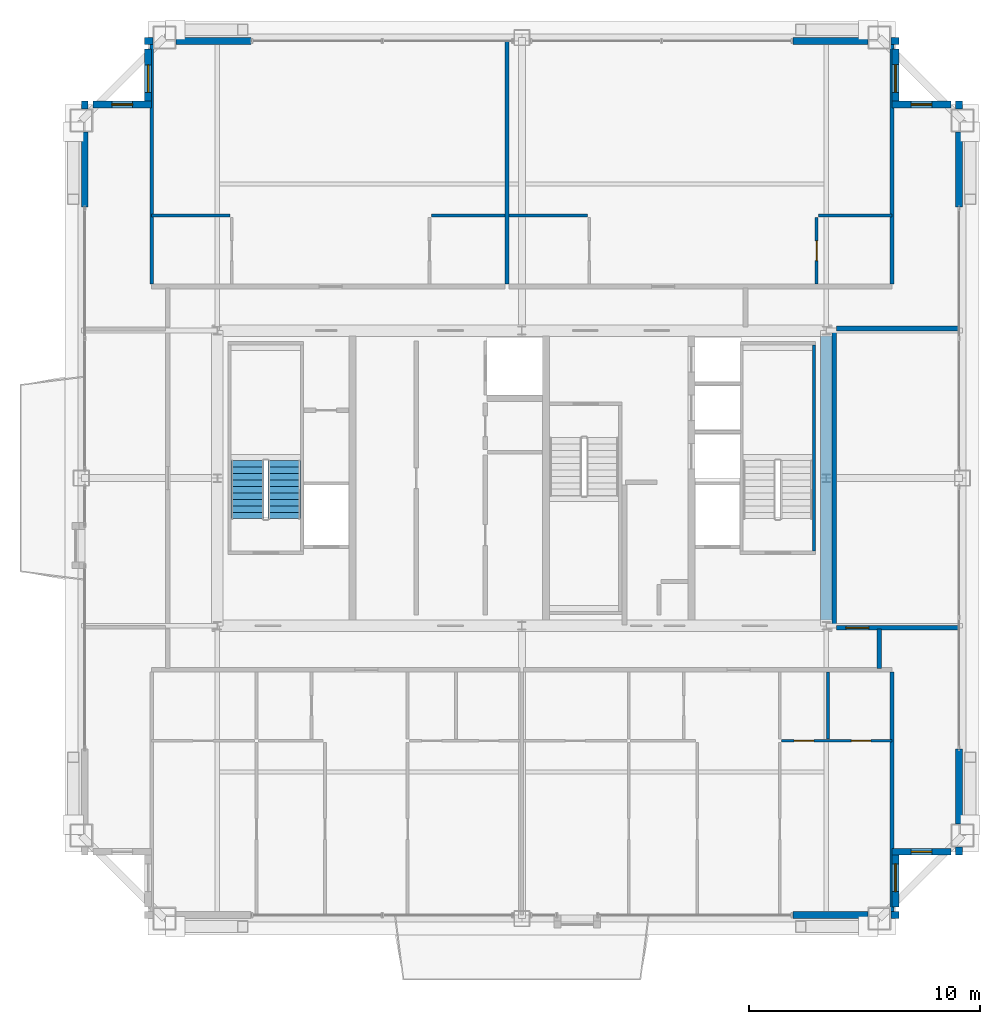
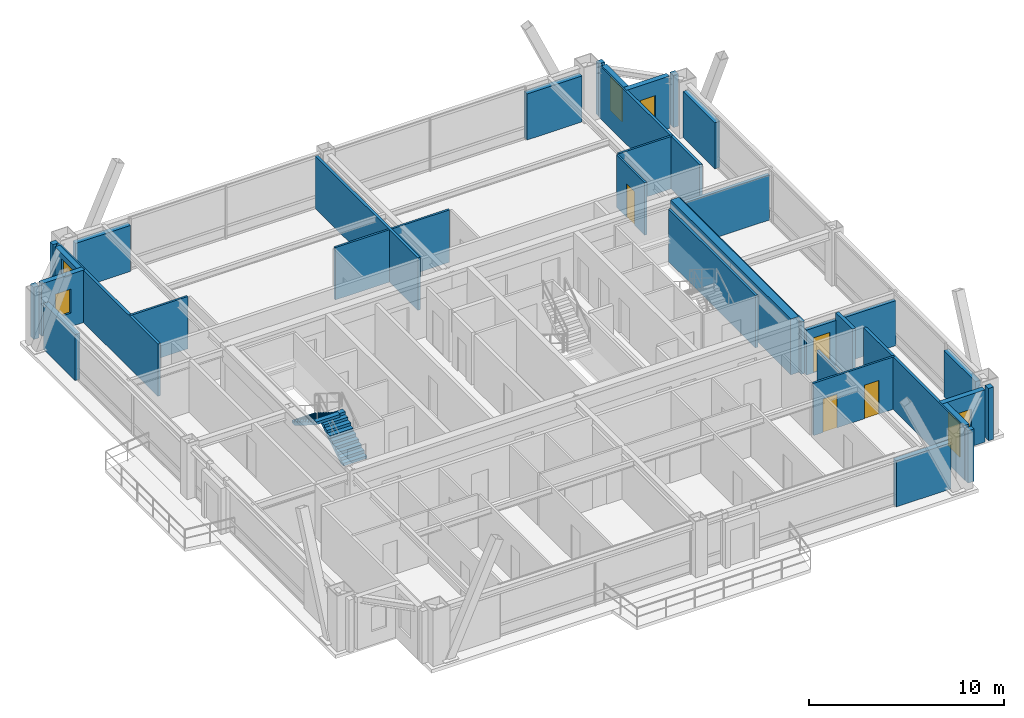
# One storey, part 31 of 33: 35 walls, 6 windows, 4 doors, 2 stair flights, 10 openings, 1 element without a shape of its own.
"""IFC4 building model written with IfcOpenShell, lengths in metres."""

from ifc_helpers import new_model, si_unit, direction, frame, frame_2d, origin, place, context, subcontext, project, spatial, polyline, rectangle, outline, extrude, source, transform, mapped, material, layer, layer_set, type_object, element, fill, aggregate, save


model = new_model("IFC4")

# Units and contexts
model_context = context("Model", 3, precision=1e-05, world=origin(), true_north=direction((0.0, 1.0)))
body_context = subcontext(model_context, "Body", "Model", "MODEL_VIEW")
ifc_project = project(units=[si_unit("LENGTHUNIT", "METRE"), si_unit("AREAUNIT", "SQUARE_METRE"), si_unit("VOLUMEUNIT", "CUBIC_METRE"), si_unit("PLANEANGLEUNIT", "RADIAN"), si_unit("MASSUNIT", "GRAM", prefix="KILO"), si_unit("THERMODYNAMICTEMPERATUREUNIT", "KELVIN"), si_unit("POWERUNIT", "WATT")], contexts=[model_context])

# Site, building, storey
site_placement = place(None, origin())
site = spatial("IfcSite", under=ifc_project, at=site_placement, CompositionType="ELEMENT")
building_placement = place(site_placement, origin())
building = spatial("IfcBuilding", under=site, at=building_placement, Name="Yuzanri Waterfront Tower", CompositionType="ELEMENT")
storey_placement = place(building_placement, frame((0.0, 0.0, 321.699951171875)))
storey = spatial("IfcBuildingStorey", under=building, at=storey_placement, Name="L86", CompositionType="ELEMENT", Elevation=321.699951171875)

# Wall, openings, doors
ifc_material_1 = material(Name="Moisture-Resistant Gypsum Stud Wall", Category="gypsum")
ifc_layer_1 = layer(ifc_material_1, 0.1201171875)
ifc_layer_set_1 = layer_set([ifc_layer_1], Name="Moisture-Resistant Gypsum Stud Wall")
wall_type_1 = type_object("IfcWallType", Name="Bathroom and Kitchen Wet Partition 120", PredefinedType="PARTITIONING", material=ifc_layer_set_1)
wall_1_placement = place(storey_placement, frame((48.26611328125, 14.409912109375, 0.0), z_axis=(0.0, 0.0, 1.0), x_axis=(1.0, 0.0, 0.0)))
wall_1 = element("IfcWall", 1, at=wall_1_placement, inside=storey, type_object=wall_type_1, Name="L86 Partition UW-L86-HS2-SUB-6-N", PredefinedType="PARTITIONING", context=body_context, shape_type="SweptSolid", body=[
    extrude(rectangle(XDim=4.7939453125, YDim=0.1201171875, at=frame_2d((2.39697265625, 0.0))), origin(), (0.0, 0.0, 1.0), 3.280029296875),
])
opening_1_placement = place(wall_1_placement, frame((3.01904296875, 0.0, 0.0)))
opening_1 = element("IfcOpeningElement", 2, at=opening_1_placement, cuts=wall_1, Name="Opening ID-0850", PredefinedType="OPENING", context=body_context, shape_type="SweptSolid", body=[
    extrude(rectangle(XDim=0.85009765625, YDim=2.10009765625, at=frame_2d((0.425048828125, 1.050048828125))), frame((0.0, 0.074951171875, 0.0), z_axis=(0.0, -1.0, 0.0), x_axis=(1.0, 0.0, 0.0)), (0.0, 0.0, 1.0), 0.14990234375),
])
opening_2_placement = place(wall_1_placement, frame((0.5419921875, 0.0, 0.0)))
opening_2 = element("IfcOpeningElement", 3, at=opening_2_placement, cuts=wall_1, Name="Opening ID-0850", PredefinedType="OPENING", context=body_context, shape_type="SweptSolid", body=[
    extrude(rectangle(XDim=0.85009765625, YDim=2.10009765625, at=frame_2d((0.425048828125, 1.050048828125))), frame((0.0, 0.074951171875, 0.0), z_axis=(0.0, -1.0, 0.0), x_axis=(1.0, 0.0, 0.0)), (0.0, 0.0, 1.0), 0.14990234375),
])
ifc_material_2 = material(Name="Moisture-Resistant Lacquered Timber", Category="wood")
door_type_1 = type_object("IfcDoorType", Name="En-Suite Bathroom and Kitchen Swing Door 850x2100", OperationType="NOTDEFINED", PredefinedType="DOOR", material=ifc_material_2)
shared_shape_1 = source(origin(), body_context, "Body", "SweptSolid", [
    extrude(rectangle(XDim=0.85009765625, YDim=2.10009765625, at=frame_2d((0.425048828125, 1.050048828125))), frame((0.0, 0.02490234375, 0.0), z_axis=(0.0, -1.0, 0.0), x_axis=(1.0, 0.0, 0.0)), (0.0, 0.0, 1.0), 0.050048828125),
])
door_1_placement = place(opening_1_placement, origin())
door_1 = element("IfcDoor", 4, at=door_1_placement, inside=storey, type_object=door_type_1, Name="L86 Suite Interior Room Door", OperationType="SINGLE_SWING_LEFT", OverallHeight=2.10009765625, OverallWidth=0.85009765625, PredefinedType="DOOR", context=body_context, shape_type="MappedRepresentation", body=[
    mapped(shared_shape_1, transform((0.0, 0.0, 0.0), scale=1.0)),
])
fill(opening_1, door_1)
door_2_placement = place(opening_2_placement, origin())
door_2 = element("IfcDoor", 5, at=door_2_placement, inside=storey, type_object=door_type_1, Name="L86 Suite Interior Room Door", OperationType="SINGLE_SWING_RIGHT", OverallHeight=2.10009765625, OverallWidth=0.85009765625, PredefinedType="DOOR", context=body_context, shape_type="MappedRepresentation", body=[
    mapped(shared_shape_1, transform((0.0, 0.0, 0.0), scale=1.0)),
])
fill(opening_2, door_2)

# Wall, opening, door
wall_2_placement = place(storey_placement, frame((49.780029296875, 34.2099609375, 0.0), z_axis=(0.0, 0.0, 1.0), x_axis=(0.0, 1.0, 0.0)))
wall_2 = element("IfcWall", 6, at=wall_2_placement, inside=storey, type_object=wall_type_1, Name="L86 Partition UW-L86-HN2-SUB-2-W", PredefinedType="PARTITIONING", context=body_context, shape_type="SweptSolid", body=[
    extrude(rectangle(XDim=2.900146484375, YDim=0.1201171875, at=frame_2d((1.4501953125, 0.0))), origin(), (0.0, 0.0, 1.0), 3.280029296875),
])
opening_3_placement = place(wall_2_placement, frame((1.02490234375, 0.0, 0.0)))
opening_3 = element("IfcOpeningElement", 7, at=opening_3_placement, cuts=wall_2, Name="Opening ID-0850", PredefinedType="OPENING", context=body_context, shape_type="SweptSolid", body=[
    extrude(rectangle(XDim=0.85009765625, YDim=2.10009765625, at=frame_2d((0.425048828125, 1.050048828125))), frame((0.0, 0.074951171875, 0.0), z_axis=(0.0, -1.0, 0.0), x_axis=(1.0, 0.0, 0.0)), (0.0, 0.0, 1.0), 0.14990234375),
])
door_3_placement = place(opening_3_placement, origin())
door_3 = element("IfcDoor", 8, at=door_3_placement, inside=storey, type_object=door_type_1, Name="L86 Suite Interior Room Door", OperationType="SINGLE_SWING_LEFT", OverallHeight=2.10009765625, OverallWidth=0.85009765625, PredefinedType="DOOR", context=body_context, shape_type="MappedRepresentation", body=[
    mapped(shared_shape_1, transform((0.0, 0.0, 0.0), scale=1.0)),
])
fill(opening_3, door_3)

# Wall, opening, window
ifc_material_3 = material(Name="Honed Chongqing Dark Basalt Stone", Category="masonry")
ifc_layer_2 = layer(ifc_material_3, 0.300048828125)
ifc_layer_set_2 = layer_set([ifc_layer_2], Name="Honed Chongqing Dark Basalt Stone")
wall_type_2 = type_object("IfcWallType", Name="Bronze Rainscreen Insulated Spandrel Portal Wall 300", PredefinedType="SOLIDWALL", material=ifc_layer_set_2)
wall_3_placement = place(storey_placement, frame((53.050048828125, 9.60009765625, 0.0), z_axis=(0.0, 0.0, 1.0), x_axis=(1.0, 0.0, 0.0)))
wall_3 = element("IfcWall", 9, at=wall_3_placement, inside=storey, type_object=wall_type_2, Name="L86 Notched Corner Masonry Wall SE-X", PredefinedType="SOLIDWALL", context=body_context, shape_type="SweptSolid", body=[
    extrude(rectangle(XDim=2.550048828125, YDim=0.300048828125, at=frame_2d((1.27490234375, 0.0))), origin(), (0.0, 0.0, 1.0), 3.280029296875),
])
opening_4_placement = place(wall_3_placement, frame((0.824951171875, 0.0, 0.85009765625)))
opening_4 = element("IfcOpeningElement", 10, at=opening_4_placement, cuts=wall_3, Name="Opening WN-05", PredefinedType="OPENING", context=body_context, shape_type="SweptSolid", body=[
    extrude(rectangle(XDim=0.89990234375, YDim=1.5, at=frame_2d((0.449951171875, 0.75))), frame((0.0, 0.1650390625, 0.0), z_axis=(0.0, -1.0, 0.0), x_axis=(1.0, 0.0, 0.0)), (0.0, 0.0, 1.0), 0.329833984375),
])
ifc_material_4 = material(Name="Double-Silver Low-E Insulated Glass", Category="glass")
window_type_1 = type_object("IfcWindowType", Name="Anodized Bronze Service and Stairwell Smoke-Vent Window 900x1500", PartitioningType="SINGLE_PANEL", PredefinedType="WINDOW", material=ifc_material_4)
shared_shape_2 = source(origin(), body_context, "Body", "SweptSolid", [
    extrude(rectangle(XDim=0.89990234375, YDim=1.5, at=frame_2d((0.449951171875, 0.75))), frame((0.0, 0.030029296875, 0.0), z_axis=(0.0, -1.0, 0.0), x_axis=(1.0, 0.0, 0.0)), (0.0, 0.0, 1.0), 0.06005859375),
])
window_1_placement = place(opening_4_placement, origin())
window_1 = element("IfcWindow", 11, at=window_1_placement, inside=storey, type_object=window_type_1, Name="L86 Notched Corner Window SE-X", OverallHeight=1.5, OverallWidth=0.89990234375, PartitioningType="SINGLE_PANEL", PredefinedType="WINDOW", context=body_context, shape_type="MappedRepresentation", body=[
    mapped(shared_shape_2, transform((0.0, 0.0, 0.0), scale=1.0)),
])
fill(opening_4, window_1)

wall_4_placement = place(storey_placement, frame((53.199951171875, 7.199951171875, 0.0), z_axis=(0.0, 0.0, 1.0), x_axis=(0.0, 1.0, 0.0)))
wall_4 = element("IfcWall", 12, at=wall_4_placement, inside=storey, type_object=wall_type_2, Name="L86 Notched Corner Masonry Wall SE-Y", PredefinedType="SOLIDWALL", context=body_context, shape_type="SweptSolid", body=[
    extrude(rectangle(XDim=2.550048828125, YDim=0.300048828125, at=frame_2d((1.27490234375, 0.0))), origin(), (0.0, 0.0, 1.0), 3.280029296875),
])
opening_5_placement = place(wall_4_placement, frame((0.675048828125, 0.0, 0.85009765625)))
opening_5 = element("IfcOpeningElement", 13, at=opening_5_placement, cuts=wall_4, Name="Opening WN-02", PredefinedType="OPENING", context=body_context, shape_type="SweptSolid", body=[
    extrude(rectangle(XDim=1.199951171875, YDim=2.10009765625, at=frame_2d((0.60009765625, 1.050048828125))), frame((0.0, 0.1650390625, 0.0), z_axis=(0.0, -1.0, 0.0), x_axis=(1.0, 0.0, 0.0)), (0.0, 0.0, 1.0), 0.329833984375),
])
ifc_material_5 = material(Name="Double-Silver Low-E Insulated Glass", Category="glass")
window_type_2 = type_object("IfcWindowType", Name="Anodized Bronze Notched Corner Deep-Set Slot Window 1200x2100", PartitioningType="SINGLE_PANEL", PredefinedType="WINDOW", material=ifc_material_5)
shared_shape_3 = source(origin(), body_context, "Body", "SweptSolid", [
    extrude(rectangle(XDim=1.199951171875, YDim=2.10009765625, at=frame_2d((0.60009765625, 1.050048828125))), frame((0.0, 0.030029296875, 0.0), z_axis=(0.0, -1.0, 0.0), x_axis=(1.0, 0.0, 0.0)), (0.0, 0.0, 1.0), 0.06005859375),
])
window_2_placement = place(opening_5_placement, origin())
window_2 = element("IfcWindow", 14, at=window_2_placement, inside=storey, type_object=window_type_2, Name="L86 Notched Corner Window SE-Y", OverallHeight=2.10009765625, OverallWidth=1.199951171875, PartitioningType="SINGLE_PANEL", PredefinedType="WINDOW", context=body_context, shape_type="MappedRepresentation", body=[
    mapped(shared_shape_3, transform((0.0, 0.0, 0.0), scale=1.0)),
])
fill(opening_5, window_2)

wall_5_placement = place(storey_placement, frame((20.949951171875, 42.0, 0.0), z_axis=(0.0, 0.0, 1.0), x_axis=(-1.0, 0.0, 0.0)))
wall_5 = element("IfcWall", 15, at=wall_5_placement, inside=storey, type_object=wall_type_2, Name="L86 Notched Corner Masonry Wall NW-X", PredefinedType="SOLIDWALL", context=body_context, shape_type="SweptSolid", body=[
    extrude(rectangle(XDim=2.550048828125, YDim=0.300048828125, at=frame_2d((1.27490234375, 0.0))), origin(), (0.0, 0.0, 1.0), 3.280029296875),
])
opening_6_placement = place(wall_5_placement, frame((0.824951171875, 0.0, 0.85009765625)))
opening_6 = element("IfcOpeningElement", 16, at=opening_6_placement, cuts=wall_5, Name="Opening WN-05", PredefinedType="OPENING", context=body_context, shape_type="SweptSolid", body=[
    extrude(rectangle(XDim=0.89990234375, YDim=1.5, at=frame_2d((0.449951171875, 0.75))), frame((0.0, 0.1650390625, 0.0), z_axis=(0.0, -1.0, 0.0), x_axis=(1.0, 0.0, 0.0)), (0.0, 0.0, 1.0), 0.329833984375),
])
window_3_placement = place(opening_6_placement, origin())
window_3 = element("IfcWindow", 17, at=window_3_placement, inside=storey, type_object=window_type_1, Name="L86 Notched Corner Window NW-X", OverallHeight=1.5, OverallWidth=0.89990234375, PartitioningType="SINGLE_PANEL", PredefinedType="WINDOW", context=body_context, shape_type="MappedRepresentation", body=[
    mapped(shared_shape_2, transform((0.0, 0.0, 0.0), scale=1.0)),
])
fill(opening_6, window_3)

wall_6_placement = place(storey_placement, frame((20.800048828125, 44.39990234375, 0.0), z_axis=(0.0, 0.0, 1.0), x_axis=(0.0, -1.0, 0.0)))
wall_6 = element("IfcWall", 18, at=wall_6_placement, inside=storey, type_object=wall_type_2, Name="L86 Notched Corner Masonry Wall NW-Y", PredefinedType="SOLIDWALL", context=body_context, shape_type="SweptSolid", body=[
    extrude(rectangle(XDim=2.5498046875, YDim=0.300048828125, at=frame_2d((1.27490234375, 0.0))), origin(), (0.0, 0.0, 1.0), 3.280029296875),
])
opening_7_placement = place(wall_6_placement, frame((0.675048828125, 0.0, 0.85009765625)))
opening_7 = element("IfcOpeningElement", 19, at=opening_7_placement, cuts=wall_6, Name="Opening WN-02", PredefinedType="OPENING", context=body_context, shape_type="SweptSolid", body=[
    extrude(rectangle(XDim=1.199951171875, YDim=2.10009765625, at=frame_2d((0.60009765625, 1.050048828125))), frame((0.0, 0.1650390625, 0.0), z_axis=(0.0, -1.0, 0.0), x_axis=(1.0, 0.0, 0.0)), (0.0, 0.0, 1.0), 0.329833984375),
])
window_4_placement = place(opening_7_placement, origin())
window_4 = element("IfcWindow", 20, at=window_4_placement, inside=storey, type_object=window_type_2, Name="L86 Notched Corner Window NW-Y", OverallHeight=2.10009765625, OverallWidth=1.199951171875, PartitioningType="SINGLE_PANEL", PredefinedType="WINDOW", context=body_context, shape_type="MappedRepresentation", body=[
    mapped(shared_shape_3, transform((0.0, 0.0, 0.0), scale=1.0)),
])
fill(opening_7, window_4)

wall_7_placement = place(storey_placement, frame((55.60009765625, 42.0, 0.0), z_axis=(0.0, 0.0, 1.0), x_axis=(-1.0, 0.0, 0.0)))
wall_7 = element("IfcWall", 21, at=wall_7_placement, inside=storey, type_object=wall_type_2, Name="L86 Notched Corner Masonry Wall NE-X", PredefinedType="SOLIDWALL", context=body_context, shape_type="SweptSolid", body=[
    extrude(rectangle(XDim=2.550048828125, YDim=0.300048828125, at=frame_2d((1.27490234375, 0.0))), origin(), (0.0, 0.0, 1.0), 3.280029296875),
])
opening_8_placement = place(wall_7_placement, frame((0.824951171875, 0.0, 0.85009765625)))
opening_8 = element("IfcOpeningElement", 22, at=opening_8_placement, cuts=wall_7, Name="Opening WN-05", PredefinedType="OPENING", context=body_context, shape_type="SweptSolid", body=[
    extrude(rectangle(XDim=0.89990234375, YDim=1.5, at=frame_2d((0.449951171875, 0.75))), frame((0.0, 0.1650390625, 0.0), z_axis=(0.0, -1.0, 0.0), x_axis=(1.0, 0.0, 0.0)), (0.0, 0.0, 1.0), 0.329833984375),
])
window_5_placement = place(opening_8_placement, origin())
window_5 = element("IfcWindow", 23, at=window_5_placement, inside=storey, type_object=window_type_1, Name="L86 Notched Corner Window NE-X", OverallHeight=1.5, OverallWidth=0.89990234375, PartitioningType="SINGLE_PANEL", PredefinedType="WINDOW", context=body_context, shape_type="MappedRepresentation", body=[
    mapped(shared_shape_2, transform((0.0, 0.0, 0.0), scale=1.0)),
])
fill(opening_8, window_5)

wall_8_placement = place(storey_placement, frame((53.199951171875, 41.85009765625, 0.0), z_axis=(0.0, 0.0, 1.0), x_axis=(0.0, 1.0, 0.0)))
wall_8 = element("IfcWall", 24, at=wall_8_placement, inside=storey, type_object=wall_type_2, Name="L86 Notched Corner Masonry Wall NE-Y", PredefinedType="SOLIDWALL", context=body_context, shape_type="SweptSolid", body=[
    extrude(rectangle(XDim=2.5498046875, YDim=0.300048828125, at=frame_2d((1.27490234375, 0.0))), origin(), (0.0, 0.0, 1.0), 3.280029296875),
])
opening_9_placement = place(wall_8_placement, frame((0.675048828125, 0.0, 0.85009765625)))
opening_9 = element("IfcOpeningElement", 25, at=opening_9_placement, cuts=wall_8, Name="Opening WN-02", PredefinedType="OPENING", context=body_context, shape_type="SweptSolid", body=[
    extrude(rectangle(XDim=1.199951171875, YDim=2.10009765625, at=frame_2d((0.60009765625, 1.050048828125))), frame((0.0, 0.1650390625, 0.0), z_axis=(0.0, -1.0, 0.0), x_axis=(1.0, 0.0, 0.0)), (0.0, 0.0, 1.0), 0.329833984375),
])
window_6_placement = place(opening_9_placement, origin())
window_6 = element("IfcWindow", 26, at=window_6_placement, inside=storey, type_object=window_type_2, Name="L86 Notched Corner Window NE-Y", OverallHeight=2.10009765625, OverallWidth=1.199951171875, PartitioningType="SINGLE_PANEL", PredefinedType="WINDOW", context=body_context, shape_type="MappedRepresentation", body=[
    mapped(shared_shape_3, transform((0.0, 0.0, 0.0), scale=1.0)),
])
fill(opening_9, window_6)

# Wall, opening, door
ifc_material_6 = material(Name="Autoclaved Aerated Concrete Blockwork", Category="masonry")
ifc_layer_3 = layer(ifc_material_6, 0.199951171875)
ifc_layer_set_3 = layer_set([ifc_layer_3], Name="Autoclaved Aerated Concrete Blockwork")
wall_type_3 = type_object("IfcWallType", Name="Corridor and Unit Party Fire Wall 200", PredefinedType="PARTITIONING", material=ifc_layer_set_3)
wall_9_placement = place(storey_placement, frame((50.64990234375, 19.31005859375, 0.0), z_axis=(0.0, 0.0, 1.0), x_axis=(1.0, 0.0, 0.0)))
wall_9 = element("IfcWall", 27, at=wall_9_placement, inside=storey, type_object=wall_type_3, Name="L86 Partition UW-L86-042-CS", PredefinedType="PARTITIONING", context=body_context, shape_type="SweptSolid", body=[
    extrude(rectangle(XDim=5.300048828125, YDim=0.199951171875, at=frame_2d((2.64990234375, 0.0))), origin(), (0.0, 0.0, 1.0), 2.824951171875),
])
opening_10_placement = place(wall_9_placement, frame((0.39990234375, 0.0, 0.0)))
opening_10 = element("IfcOpeningElement", 28, at=opening_10_placement, cuts=wall_9, Name="Opening FD-1000", PredefinedType="OPENING", context=body_context, shape_type="SweptSolid", body=[
    extrude(rectangle(XDim=1.0, YDim=2.199951171875, at=frame_2d((0.5, 1.10009765625))), frame((0.0, 0.11474609375, 0.0), z_axis=(0.0, -1.0, 0.0), x_axis=(1.0, 0.0, 0.0)), (0.0, 0.0, 1.0), 0.229736328125),
])
ifc_material_7 = material(Name="Engineered Oak Fire-Rated Timber", Category="wood")
door_type_2 = type_object("IfcDoorType", Name="Guestroom and Apartment Entrance Fire Door 1000x2200", OperationType="NOTDEFINED", PredefinedType="DOOR", material=ifc_material_7)
shared_shape_4 = source(origin(), body_context, "Body", "SweptSolid", [
    extrude(rectangle(XDim=1.0, YDim=2.199951171875, at=frame_2d((0.5, 1.10009765625))), frame((0.0, 0.02490234375, 0.0), z_axis=(0.0, -1.0, 0.0), x_axis=(1.0, 0.0, 0.0)), (0.0, 0.0, 1.0), 0.050048828125),
])
door_4_placement = place(opening_10_placement, origin())
door_4 = element("IfcDoor", 29, at=door_4_placement, inside=storey, type_object=door_type_2, Name="L86 High-Rise E Boardroom Meeting Room Entrance Door", OperationType="SINGLE_SWING_LEFT", OverallHeight=2.199951171875, OverallWidth=1.0, PredefinedType="DOOR", context=body_context, shape_type="MappedRepresentation", body=[
    mapped(shared_shape_4, transform((0.0, 0.0, 0.0), scale=1.0)),
])
fill(opening_10, door_4)

# Walls
ifc_material_8 = material(Name="Concrete C45", Category="concrete")
ifc_layer_4 = layer(ifc_material_8, 0.47998046875)
ifc_layer_set_4 = layer_set([ifc_layer_4], Name="Concrete C45")
wall_type_4 = type_object("IfcWallType", Name="Concrete C45 High-Rise Core Shear Wall 480", PredefinedType="SHEAR", material=ifc_layer_set_4)
shared_shape_5 = source(origin(), body_context, "Body", "SweptSolid", [
    extrude(rectangle(XDim=12.320068359375, YDim=0.47998046875, at=frame_2d((6.16015625, 0.0))), origin(), (0.0, 0.0, 1.0), 3.5),
])
wall_10_placement = place(storey_placement, frame((50.199951171875, 19.639892578125, 0.0), z_axis=(0.0, 0.0, 1.0), x_axis=(0.0, 1.0, 0.0)))
element("IfcWall", 30, at=wall_10_placement, inside=storey, type_object=wall_type_4, Name="L86 Core East Shear Wall", PredefinedType="SHEAR", context=body_context, shape_type="MappedRepresentation", body=[
    mapped(shared_shape_5, transform((0.0, 0.0, 0.0), scale=1.0)),
])
shared_shape_6 = source(origin(), body_context, "Body", "SweptSolid", [
    extrude(rectangle(XDim=3.25, YDim=0.300048828125, at=frame_2d((1.625, 0.0))), origin(), (0.0, 0.0, 1.0), 2.885009765625),
])
for number, where, z_axis, x_axis, name in (
    (31, (48.75, 6.85009765625, 0.0), (0.0, 0.0, 1.0), (1.0, 0.0, 0.0), "L86 S Right Braced Masonry Shoulder"),
    (32, (22.0, 44.75, 0.0), (0.0, 0.0, 1.0), (1.0, 0.0, 0.0), "L86 N Left Braced Masonry Shoulder"),
    (33, (48.75, 44.75, 0.0), (0.0, 0.0, 1.0), (1.0, 0.0, 0.0), "L86 N Right Braced Masonry Shoulder"),
    (34, (18.050048828125, 37.550048828125, 0.0), (0.0, 0.0, 1.0), (0.0, 1.0, 0.0), "L86 W Right Braced Masonry Shoulder"),
    (35, (55.949951171875, 10.800048828125, 0.0), (0.0, 0.0, 1.0), (0.0, 1.0, 0.0), "L86 E Left Braced Masonry Shoulder"),
    (36, (55.949951171875, 37.550048828125, 0.0), (0.0, 0.0, 1.0), (0.0, 1.0, 0.0), "L86 E Right Braced Masonry Shoulder"),
):
    element("IfcWall", number, at=place(storey_placement, frame(where, z_axis=z_axis, x_axis=x_axis)), inside=storey, type_object=wall_type_2, Name=name, PredefinedType="SOLIDWALL", context=body_context, shape_type="MappedRepresentation", body=[
        mapped(shared_shape_6, transform((0.0, 0.0, 0.0), scale=1.0)),
    ])
shared_shape_7 = source(origin(), body_context, "Body", "SweptSolid", [
    extrude(rectangle(XDim=0.35009765625, YDim=0.300048828125, at=frame_2d((0.175048828125, 0.0))), origin(), (0.0, 0.0, 1.0), 3.280029296875),
])
for number, where, z_axis, x_axis, name in (
    (37, (53.0, 6.85009765625, 0.0), (0.0, 0.0, 1.0), (1.0, 0.0, 0.0), "L86 Corner Column Shoulder Return CSE"),
    (38, (20.64990234375, 44.75, 0.0), (0.0, 0.0, 1.0), (1.0, 0.0, 0.0), "L86 Corner Column Shoulder Return CNW"),
    (39, (53.0, 44.75, 0.0), (0.0, 0.0, 1.0), (1.0, 0.0, 0.0), "L86 Corner Column Shoulder Return CNE"),
    (40, (55.949951171875, 9.449951171875, 0.0), (0.0, 0.0, 1.0), (0.0, 1.0, 0.0), "L86 Corner Column Shoulder Return CES"),
):
    element("IfcWall", number, at=place(storey_placement, frame(where, z_axis=z_axis, x_axis=x_axis)), inside=storey, type_object=wall_type_2, Name=name, PredefinedType="SOLIDWALL", context=body_context, shape_type="MappedRepresentation", body=[
        mapped(shared_shape_7, transform((0.0, 0.0, 0.0), scale=1.0)),
    ])
shared_shape_8 = source(origin(), body_context, "Body", "SweptSolid", [
    extrude(rectangle(XDim=0.349853515625, YDim=0.300048828125, at=frame_2d((0.1748046875, 0.0))), origin(), (0.0, 0.0, 1.0), 3.280029296875),
])
for number, where, z_axis, x_axis, name in (
    (41, (18.050048828125, 41.800048828125, 0.0), (0.0, 0.0, 1.0), (0.0, 1.0, 0.0), "L86 Corner Column Shoulder Return CWN"),
    (42, (55.949951171875, 41.800048828125, 0.0), (0.0, 0.0, 1.0), (0.0, 1.0, 0.0), "L86 Corner Column Shoulder Return CEN"),
):
    element("IfcWall", number, at=place(storey_placement, frame(where, z_axis=z_axis, x_axis=x_axis)), inside=storey, type_object=wall_type_2, Name=name, PredefinedType="SOLIDWALL", context=body_context, shape_type="MappedRepresentation", body=[
        mapped(shared_shape_8, transform((0.0, 0.0, 0.0), scale=1.0)),
    ])
ifc_material_9 = material(Name="Concrete C40", Category="concrete")
ifc_layer_5 = layer(ifc_material_9, 0.139892578125)
ifc_layer_set_5 = layer_set([ifc_layer_5], Name="Concrete C40")
wall_type_5 = type_object("IfcWallType", Name="Core Stair Liner and Hoistway Shaft Wall 140", PredefinedType="SOLIDWALL", material=ifc_layer_set_5)
shared_shape_9 = source(origin(), body_context, "Body", "SweptSolid", [
    extrude(rectangle(XDim=8.940185546875, YDim=0.139892578125, at=frame_2d((4.47021484375, 0.0))), origin(), (0.0, 0.0, 1.0), 3.280029296875),
])
wall_11_placement = place(storey_placement, frame((49.669921875, 22.639892578125, 0.0), z_axis=(0.0, 0.0, 1.0), x_axis=(0.0, 1.0, 0.0)))
element("IfcWall", 43, at=wall_11_placement, inside=storey, type_object=wall_type_5, Name="L86 Stair ST-02 East Shaft Wall", PredefinedType="SOLIDWALL", context=body_context, shape_type="MappedRepresentation", body=[
    mapped(shared_shape_9, transform((0.0, 0.0, 0.0), scale=1.0)),
])
shared_shape_10 = source(origin(), body_context, "Body", "SweptSolid", [
    extrude(rectangle(XDim=3.400146484375, YDim=0.1201171875, at=frame_2d((1.7001953125, 0.0))), origin(), (0.0, 0.0, 1.0), 3.280029296875),
])
wall_12_placement = place(storey_placement, frame((20.93994140625, 37.18994140625, 0.0), z_axis=(0.0, 0.0, 1.0), x_axis=(1.0, 0.0, 0.0)))
element("IfcWall", 44, at=wall_12_placement, inside=storey, type_object=wall_type_1, Name="L86 Partition UW-L86-HN1-SUB-1-N", PredefinedType="PARTITIONING", context=body_context, shape_type="MappedRepresentation", body=[
    mapped(shared_shape_10, transform((0.0, 0.0, 0.0), scale=1.0)),
])
shared_shape_11 = source(origin(), body_context, "Body", "SweptSolid", [
    extrude(rectangle(XDim=3.199951171875, YDim=0.1201171875, at=frame_2d((1.60009765625, 0.0))), origin(), (0.0, 0.0, 1.0), 3.280029296875),
])
wall_13_placement = place(storey_placement, frame((49.860107421875, 37.18994140625, 0.0), z_axis=(0.0, 0.0, 1.0), x_axis=(1.0, 0.0, 0.0)))
element("IfcWall", 45, at=wall_13_placement, inside=storey, type_object=wall_type_1, Name="L86 Partition UW-L86-HN2-SUB-2-N", PredefinedType="PARTITIONING", context=body_context, shape_type="MappedRepresentation", body=[
    mapped(shared_shape_11, transform((0.0, 0.0, 0.0), scale=1.0)),
])
shared_shape_12 = source(origin(), body_context, "Body", "SweptSolid", [
    extrude(rectangle(XDim=12.780029296875, YDim=0.199951171875, at=frame_2d((6.39013671875, 0.0))), origin(), (0.0, 0.0, 1.0), 3.280029296875),
])
wall_14_placement = place(storey_placement, frame((50.544921875, 19.409912109375, 0.0), z_axis=(0.0, 0.0, 1.0), x_axis=(0.0, 1.0, 0.0)))
element("IfcWall", 46, at=wall_14_placement, inside=storey, type_object=wall_type_3, Name="L86-042 Wing Inner Core-Side Wall", PredefinedType="PARTITIONING", context=body_context, shape_type="MappedRepresentation", body=[
    mapped(shared_shape_12, transform((0.0, 0.0, 0.0), scale=1.0)),
])
shared_shape_13 = source(origin(), body_context, "Body", "SweptSolid", [
    extrude(rectangle(XDim=5.300048828125, YDim=0.199951171875, at=frame_2d((2.64990234375, 0.0))), origin(), (0.0, 0.0, 1.0), 2.824951171875),
])
wall_15_placement = place(storey_placement, frame((50.64990234375, 32.2900390625, 0.0), z_axis=(0.0, 0.0, 1.0), x_axis=(1.0, 0.0, 0.0)))
element("IfcWall", 47, at=wall_15_placement, inside=storey, type_object=wall_type_3, Name="L86-042 Wing North Wall", PredefinedType="PARTITIONING", context=body_context, shape_type="MappedRepresentation", body=[
    mapped(shared_shape_13, transform((0.0, 0.0, 0.0), scale=1.0)),
])
shared_shape_14 = source(origin(), body_context, "Body", "SweptSolid", [
    extrude(rectangle(XDim=2.89990234375, YDim=0.1201171875, at=frame_2d((1.449951171875, 0.0))), origin(), (0.0, 0.0, 1.0), 2.824951171875),
])
wall_16_placement = place(storey_placement, frame((50.280029296875, 14.489990234375, 0.0), z_axis=(0.0, 0.0, 1.0), x_axis=(0.0, 1.0, 0.0)))
element("IfcWall", 48, at=wall_16_placement, inside=storey, type_object=wall_type_1, Name="L86 Partition UW-L86-HS2-SUB-3-W", PredefinedType="PARTITIONING", context=body_context, shape_type="MappedRepresentation", body=[
    mapped(shared_shape_14, transform((0.0, 0.0, 0.0), scale=1.0)),
])
shared_shape_15 = source(origin(), body_context, "Body", "SweptSolid", [
    extrude(rectangle(XDim=1.699951171875, YDim=0.199951171875, at=frame_2d((0.85009765625, 0.0))), origin(), (0.0, 0.0, 1.0), 3.280029296875),
])
wall_17_placement = place(storey_placement, frame((52.5, 17.550048828125, 0.0), z_axis=(0.0, 0.0, 1.0), x_axis=(0.0, 1.0, 0.0)))
element("IfcWall", 49, at=wall_17_placement, inside=storey, type_object=wall_type_3, Name="L86 South Foyer East End Wall", PredefinedType="PARTITIONING", context=body_context, shape_type="MappedRepresentation", body=[
    mapped(shared_shape_15, transform((0.0, 0.0, 0.0), scale=1.0)),
])
ifc_material_10 = material(Name="Gypsum Fireboard Acoustic Stud Wall", Category="gypsum")
ifc_layer_6 = layer(ifc_material_10, 0.159912109375)
ifc_layer_set_6 = layer_set([ifc_layer_6], Name="Gypsum Fireboard Acoustic Stud Wall")
wall_type_6 = type_object("IfcWallType", Name="Acoustic Suite Demising Partition 160", PredefinedType="PARTITIONING", material=ifc_layer_set_6)
shared_shape_16 = source(origin(), body_context, "Body", "SweptSolid", [
    extrude(rectangle(XDim=10.389892578125, YDim=0.159912109375, at=frame_2d((5.19482421875, 0.0))), origin(), (0.0, 0.0, 1.0), 3.280029296875),
])
wall_18_placement = place(storey_placement, frame((53.050048828125, 7.0, 0.0), z_axis=(0.0, 0.0, 1.0), x_axis=(0.0, 1.0, 0.0)))
element("IfcWall", 50, at=wall_18_placement, inside=storey, type_object=wall_type_6, Name="L86 South Band East End Wall", PredefinedType="PARTITIONING", context=body_context, shape_type="MappedRepresentation", body=[
    mapped(shared_shape_16, transform((0.0, 0.0, 0.0), scale=1.0)),
])
shared_shape_17 = source(origin(), body_context, "Body", "SweptSolid", [
    extrude(rectangle(XDim=10.39013671875, YDim=0.159912109375, at=frame_2d((5.195068359375, 0.0))), origin(), (0.0, 0.0, 1.0), 3.280029296875),
])
for number, where, z_axis, x_axis, name in (
    (51, (20.949951171875, 34.2099609375, 0.0), (0.0, 0.0, 1.0), (0.0, 1.0, 0.0), "L86 North Band West End Wall"),
    (52, (53.050048828125, 34.2099609375, 0.0), (0.0, 0.0, 1.0), (0.0, 1.0, 0.0), "L86 North Band East End Wall"),
):
    element("IfcWall", number, at=place(storey_placement, frame(where, z_axis=z_axis, x_axis=x_axis)), inside=storey, type_object=wall_type_6, Name=name, PredefinedType="PARTITIONING", context=body_context, shape_type="MappedRepresentation", body=[
        mapped(shared_shape_17, transform((0.0, 0.0, 0.0), scale=1.0)),
    ])
shared_shape_18 = source(origin(), body_context, "Body", "SweptSolid", [
    extrude(rectangle(XDim=10.5400390625, YDim=0.159912109375, at=frame_2d((5.27001953125, 0.0))), origin(), (0.0, 0.0, 1.0), 3.280029296875),
])
wall_19_placement = place(storey_placement, frame((36.35791015625, 34.2099609375, 0.0), z_axis=(0.0, 0.0, 1.0), x_axis=(0.0, 1.0, 0.0)))
element("IfcWall", 53, at=wall_19_placement, inside=storey, type_object=wall_type_6, Name="L86-HN1 Party Wall", PredefinedType="PARTITIONING", context=body_context, shape_type="MappedRepresentation", body=[
    mapped(shared_shape_18, transform((0.0, 0.0, 0.0), scale=1.0)),
])
shared_shape_19 = source(origin(), body_context, "Body", "SweptSolid", [
    extrude(rectangle(XDim=3.2001953125, YDim=0.1201171875, at=frame_2d((1.60009765625, 0.0))), origin(), (0.0, 0.0, 1.0), 3.280029296875),
])
wall_20_placement = place(storey_placement, frame((33.077880859375, 37.18994140625, 0.0), z_axis=(0.0, 0.0, 1.0), x_axis=(1.0, 0.0, 0.0)))
element("IfcWall", 54, at=wall_20_placement, inside=storey, type_object=wall_type_1, Name="L86 Partition UW-L86-HN1-SUB-2-N", PredefinedType="PARTITIONING", context=body_context, shape_type="MappedRepresentation", body=[
    mapped(shared_shape_19, transform((0.0, 0.0, 0.0), scale=1.0)),
])
shared_shape_20 = source(origin(), body_context, "Body", "SweptSolid", [
    extrude(rectangle(XDim=3.39990234375, YDim=0.1201171875, at=frame_2d((1.699951171875, 0.0))), origin(), (0.0, 0.0, 1.0), 3.280029296875),
])
wall_21_placement = place(storey_placement, frame((36.43798828125, 37.18994140625, 0.0), z_axis=(0.0, 0.0, 1.0), x_axis=(1.0, 0.0, 0.0)))
element("IfcWall", 55, at=wall_21_placement, inside=storey, type_object=wall_type_1, Name="L86 Partition UW-L86-HN2-SUB-1-N", PredefinedType="PARTITIONING", context=body_context, shape_type="MappedRepresentation", body=[
    mapped(shared_shape_20, transform((0.0, 0.0, 0.0), scale=1.0)),
])

# Stair, stair flights
ifc_material_11 = material(Name="Concrete C40", Category="concrete")
stair_type = type_object("IfcStairType", Name="Concrete C40 Core Dogleg Exit Stair", PredefinedType="HALF_TURN_STAIR", material=ifc_material_11)
stair_placement = place(storey_placement, origin())
stair = element("IfcStair", 56, at=stair_placement, inside=storey, type_object=stair_type, Name="L86 Smoke-Proof Core Stair ST-01", PredefinedType="HALF_TURN_STAIR")
ifc_material_12 = material(Name="Concrete C40", Category="concrete")
stair_flight_type = type_object("IfcStairFlightType", Name="Concrete C40 Precast Stair Flight 1380", PredefinedType="STRAIGHT", material=ifc_material_12)
shared_shape_21 = source(origin(), body_context, "Body", "SweptSolid", [
    extrude(outline(polyline([(0.0, 0.0), (0.0, 0.175048828125), (0.280029296875, 0.175048828125), (0.280029296875, 0.35009765625), (0.56005859375, 0.35009765625), (0.56005859375, 0.52490234375), (0.840087890625, 0.52490234375), (0.840087890625, 0.699951171875), (1.1201171875, 0.699951171875), (1.1201171875, 0.875), (1.39990234375, 0.875), (1.39990234375, 1.050048828125), (1.679931640625, 1.050048828125), (1.679931640625, 1.22509765625), (1.9599609375, 1.22509765625), (1.9599609375, 1.39990234375), (2.239990234375, 1.39990234375), (2.239990234375, 1.574951171875), (2.52001953125, 1.574951171875), (2.52001953125, 1.75), (2.52001953125, 1.398193359375), (0.28271484375, 0.0), (0.0, 0.0)])), frame((0.0, 0.699951171875, 0.0), z_axis=(0.0, -1.0, 0.0), x_axis=(1.0, 0.0, 0.0)), (0.0, 0.0, 1.0), 1.39990234375),
])
stair_flight_1_placement = place(storey_placement, frame((26.699951171875, 24.0400390625, 0.0), z_axis=(0.0, 0.0, 1.0), x_axis=(0.0, 1.0, 0.0)))
stair_flight_1 = element("IfcStairFlight", 57, at=stair_flight_1_placement, type_object=stair_flight_type, Name="ST-01 flight 1", NumberOfRisers=10, NumberOfTreads=9, PredefinedType="STRAIGHT", RiserHeight=0.175, TreadLength=0.28, context=body_context, shape_type="MappedRepresentation", body=[
    mapped(shared_shape_21, transform((0.0, 0.0, 0.0), scale=1.0)),
])
stair_flight_2_placement = place(storey_placement, frame((25.10009765625, 26.56005859375, 1.75), z_axis=(0.0, 0.0, 1.0), x_axis=(0.0, -1.0, 0.0)))
stair_flight_2 = element("IfcStairFlight", 58, at=stair_flight_2_placement, type_object=stair_flight_type, Name="ST-01 flight 2", NumberOfRisers=10, NumberOfTreads=9, PredefinedType="STRAIGHT", RiserHeight=0.175, TreadLength=0.28, context=body_context, shape_type="MappedRepresentation", body=[
    mapped(shared_shape_21, transform((0.0, 0.0, 0.0), scale=1.0)),
])
aggregate(stair, [stair_flight_1, stair_flight_2])

save(model, "model.ifc")
